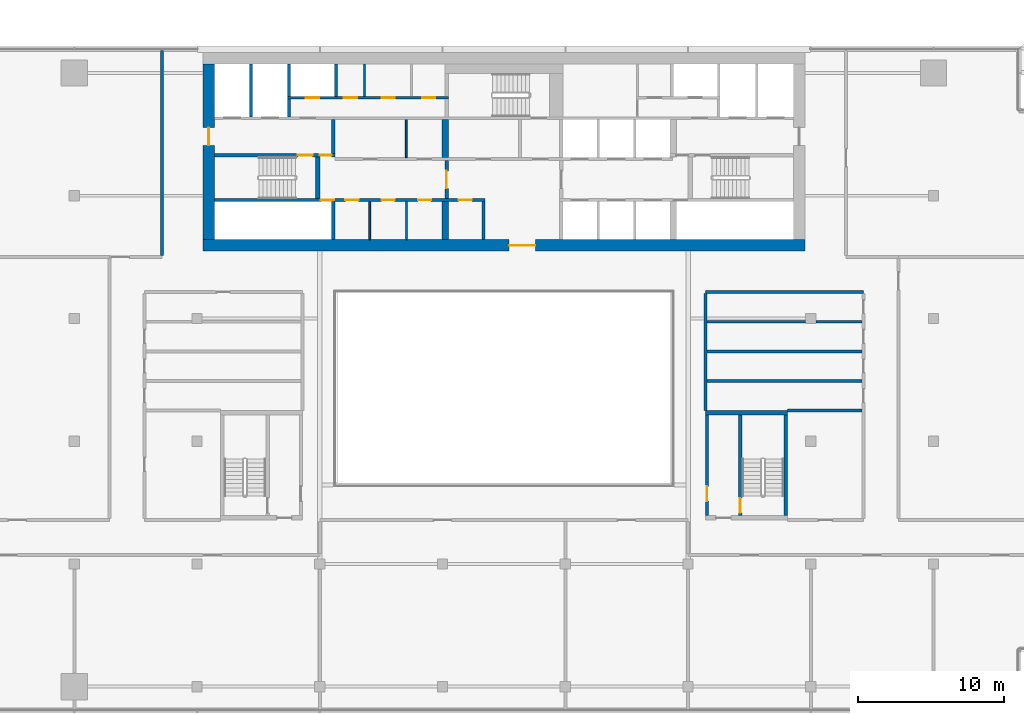
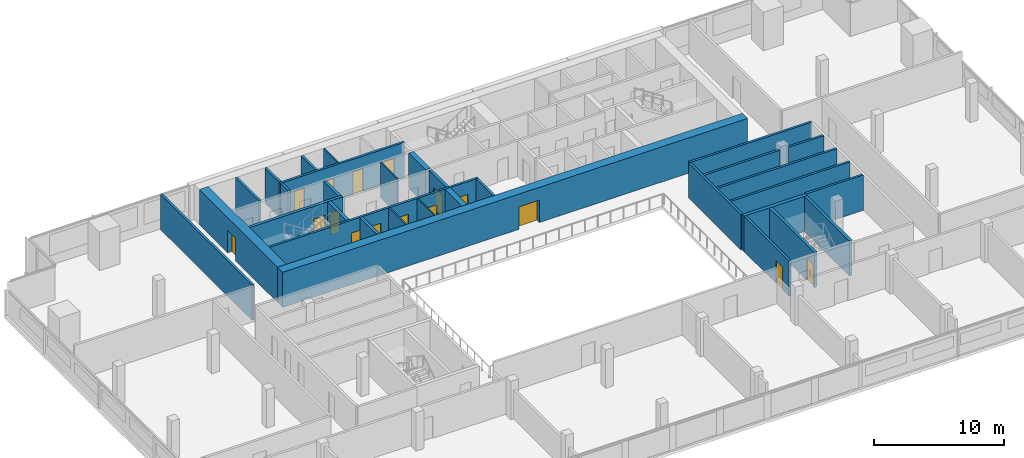
# One storey, part 18 of 24: 32 walls, 16 doors, 16 openings.
"""IFC4 building model written with IfcOpenShell, lengths in metres."""

import ifcopenshell
import ifcopenshell.guid

model = None  # the IFC model being written
_history = None  # IfcOwnerHistory: only IFC2X3 demands one
_inside = {}  # id of a spatial element -> (the spatial element, [elements in it])
_under = {}  # id of a project, library or spatial element -> (it, [spatial elements below it])
_declared = {}  # id of a project -> (the project, [libraries it declares])
_typed = {}  # id of a type object -> (the type object, [elements of that type])
_made_of = {}  # id of a material, layer set ... -> (it, [elements and type objects made of it])


def new_model(schema):
    """Start an empty IFC model of exactly this schema.

    Asked for "IFC4X3", IfcOpenShell would pick the latest addendum, in which some entities
    have other attributes; the version numbers below select the first issue.
    IFC2X3 requires an IfcOwnerHistory on every rooted entity: one is made here for all.
    """
    global model, _history
    if schema == "IFC4X3":
        model = ifcopenshell.file(schema_version=(4, 3, 0, 0))
    else:
        model = ifcopenshell.file(schema=schema)
    _inside.clear()
    _under.clear()
    _declared.clear()
    _typed.clear()
    _made_of.clear()
    _history = None
    if model.schema == "IFC2X3":
        org = make("IfcOrganization", Name="unknown")
        user = make(
            "IfcPersonAndOrganization",
            ThePerson=make("IfcPerson", FamilyName="unknown"),
            TheOrganization=org,
        )
        app = make(
            "IfcApplication",
            ApplicationDeveloper=org,
            Version="unknown",
            ApplicationFullName="unknown",
            ApplicationIdentifier="unknown",
        )
        _history = make(
            "IfcOwnerHistory",
            OwningUser=user,
            OwningApplication=app,
            ChangeAction="ADDED",
            CreationDate=0,
        )
    return model


def make(cls, **values):
    """One entity of the class cls with the attributes given. An attribute that is None is left unset."""
    return model.create_entity(
        cls, **{name: value for name, value in values.items() if value is not None}
    )


def rooted(cls, **values):
    """An entity with a GlobalId (a new one), such as an element, a storey or a relation."""
    return make(cls, GlobalId=ifcopenshell.guid.new(), OwnerHistory=_history, **values)


def si_unit(unit_type, name, prefix=None):
    """IfcSIUnit, for example si_unit("LENGTHUNIT", "METRE", prefix="MILLI")."""
    return make("IfcSIUnit", UnitType=unit_type, Prefix=prefix, Name=name)


def assignment(units):
    """IfcUnitAssignment: the units of a project."""
    return None if units is None else make("IfcUnitAssignment", Units=units)


def point(xyz):
    """IfcCartesianPoint."""
    return None if xyz is None else make("IfcCartesianPoint", Coordinates=xyz)


def direction(xyz):
    """IfcDirection."""
    return None if xyz is None else make("IfcDirection", DirectionRatios=xyz)


def frame(location, z_axis=None, x_axis=None):
    """IfcAxis2Placement3D, a coordinate frame: its origin and axes. An axis left out is left unset."""
    return make(
        "IfcAxis2Placement3D",
        Location=point(location),
        Axis=direction(z_axis),
        RefDirection=direction(x_axis),
    )


def frame_2d(location, x_axis=None):
    """IfcAxis2Placement2D, a coordinate frame in the plane: its origin and x axis."""
    return make(
        "IfcAxis2Placement2D", Location=point(location), RefDirection=direction(x_axis)
    )


def origin():
    """The frame at (0, 0, 0) with its axes left unset."""
    return frame((0.0, 0.0, 0.0))


def place(relative_to, where):
    """IfcLocalPlacement: puts the frame where relative to a parent placement (None: the world)."""
    return make(
        "IfcLocalPlacement", PlacementRelTo=relative_to, RelativePlacement=where
    )


def context(
    kind, dimensions, precision=None, world=None, true_north=None, identifier=None
):
    """IfcGeometricRepresentationContext, for example the 3D "Model" context."""
    return make(
        "IfcGeometricRepresentationContext",
        ContextIdentifier=identifier,
        ContextType=kind,
        CoordinateSpaceDimension=dimensions,
        Precision=precision,
        WorldCoordinateSystem=world,
        TrueNorth=true_north,
    )


def subcontext(parent, identifier, kind, view, scale=None):
    """IfcGeometricRepresentationSubContext, for example "Body" below "Model"."""
    return make(
        "IfcGeometricRepresentationSubContext",
        ContextIdentifier=identifier,
        ContextType=kind,
        ParentContext=parent,
        TargetScale=scale,
        TargetView=view,
    )


def project(units=None, contexts=None):
    """IfcProject with its units and contexts."""
    return rooted(
        "IfcProject",
        Name="project",
        RepresentationContexts=contexts,
        UnitsInContext=assignment(units),
    )


def spatial(cls, under=None, at=None, **own):
    """A site, building, storey or space (cls), placed at a placement, below another one or the project."""
    s = rooted(cls, ObjectPlacement=at, **own)
    if under is not None:
        _under.setdefault(under.id(), (under, []))[1].append(s)
    return s


def profile(cls, at=None, kind="AREA", **sizes):
    """A parametric profile (cls). Its sizes go by their IFC names, for example OverallWidth=200.0."""
    return make(cls, ProfileType=kind, Position=at, **sizes)


def rectangle(**sizes):
    """IfcRectangleProfileDef."""
    return profile("IfcRectangleProfileDef", **sizes)


def extrude(swept, where, along, depth):
    """IfcExtrudedAreaSolid: the profile swept, set in the frame where, extruded along a direction by depth."""
    return make(
        "IfcExtrudedAreaSolid",
        SweptArea=swept,
        Position=where,
        ExtrudedDirection=direction(along),
        Depth=depth,
    )


def shape(context_of_items, identifier, shape_type, items):
    """IfcShapeRepresentation: the items that make up one representation, for example the "Body"."""
    return make(
        "IfcShapeRepresentation",
        ContextOfItems=context_of_items,
        RepresentationIdentifier=identifier,
        RepresentationType=shape_type,
        Items=items,
    )


def material(Name=None, Category=None):
    """IfcMaterial."""
    return make("IfcMaterial", Name=Name, Category=Category)


def layer(
    of_material, thickness, ventilated=None, Name=None, Category=None, Priority=None
):
    """IfcMaterialLayer: one layer of a wall or slab, of a material (None: an air gap)."""
    return make(
        "IfcMaterialLayer",
        Material=of_material,
        LayerThickness=thickness,
        IsVentilated=ventilated,
        Name=Name,
        Category=Category,
        Priority=Priority,
    )


def layer_set(layers, Name=None):
    """IfcMaterialLayerSet."""
    return make("IfcMaterialLayerSet", MaterialLayers=layers, LayerSetName=Name)


def made_of(thing, what):
    """Note that an element or type object is made of a material, layer set ...; save() writes the relation."""
    if what is not None:
        _made_of.setdefault(what.id(), (what, []))[1].append(thing)
    return thing


def type_object(cls, material=None, **own):
    """A type object (cls), such as IfcWallType, which elements share."""
    return made_of(rooted(cls, **own), material)


def element(
    cls,
    number,
    at=None,
    inside=None,
    cuts=None,
    type_object=None,
    material=None,
    context=None,
    identifier="Body",
    shape_type=None,
    held_by="IfcProductDefinitionShape",
    body=None,
    shapes=None,
    **own,
):
    """One element of the class cls, such as IfcWall. Its Tag is "e" and its number.

    at: its placement. inside: the storey or other place that contains it. cuts: it is an
    opening in that element (IfcRelVoidsElement). A single representation is given by context,
    identifier, shape_type and body (its items); several are given by shapes. held_by: the class
    of the entity that holds the representations. save() writes the other relations.
    """
    e = rooted(cls, Tag="e%d" % number, ObjectPlacement=at, **own)
    if body is not None:
        shapes = [shape(context, identifier, shape_type, body)]
    if shapes is not None:
        e.Representation = make(held_by, Representations=shapes)
    if inside is not None:
        _inside.setdefault(inside.id(), (inside, []))[1].append(e)
    if cuts is not None:
        rooted(
            "IfcRelVoidsElement", RelatingBuildingElement=cuts, RelatedOpeningElement=e
        )
    if type_object is not None:
        _typed.setdefault(type_object.id(), (type_object, []))[1].append(e)
    return made_of(e, material)


def fill(opening, filler):
    """IfcRelFillsElement: the door or window that sits in an opening."""
    return rooted(
        "IfcRelFillsElement",
        RelatingOpeningElement=opening,
        RelatedBuildingElement=filler,
    )


def aggregate(whole, parts):
    """IfcRelAggregates: a whole, such as a stair, and the parts it consists of."""
    return rooted("IfcRelAggregates", RelatingObject=whole, RelatedObjects=parts)


def save(model, path):
    """Write the relations noted so far, then the file.

    IfcRelAggregates (storeys below a building ...), IfcRelContainedInSpatialStructure (elements
    in a storey), IfcRelDefinesByType, IfcRelAssociatesMaterial and IfcRelDeclares: one each for
    every whole, place, type object, material and project.
    """
    for whole, parts in _under.values():
        aggregate(whole, parts)
    for where, things in _inside.values():
        rooted(
            "IfcRelContainedInSpatialStructure",
            RelatedElements=things,
            RelatingStructure=where,
        )
    for kind, things in _typed.values():
        rooted("IfcRelDefinesByType", RelatedObjects=things, RelatingType=kind)
    for what, things in _made_of.values():
        rooted("IfcRelAssociatesMaterial", RelatedObjects=things, RelatingMaterial=what)
    for by, libraries in _declared.values():
        rooted("IfcRelDeclares", RelatingContext=by, RelatedDefinitions=libraries)
    model.write(path)


model = new_model("IFC4")

# Units and contexts
model_context = context("Model", 3, precision=1e-05, world=origin(), true_north=direction((0.0, 1.0)))
body_context = subcontext(model_context, "Body", "Model", "MODEL_VIEW")
ifc_project = project(units=[si_unit("LENGTHUNIT", "METRE"), si_unit("AREAUNIT", "SQUARE_METRE"), si_unit("VOLUMEUNIT", "CUBIC_METRE"), si_unit("PLANEANGLEUNIT", "RADIAN"), si_unit("MASSUNIT", "GRAM", prefix="KILO")], contexts=[model_context])

# Site, building, storey
site_placement = place(None, origin())
site = spatial("IfcSite", under=ifc_project, at=site_placement, CompositionType="ELEMENT")
building_placement = place(site_placement, origin())
building = spatial("IfcBuilding", under=site, at=building_placement, Name="Saffron Gate Tower", CompositionType="ELEMENT")
storey_placement = place(building_placement, frame((0.0, 0.0, 190.64990234375)))
storey = spatial("IfcBuildingStorey", under=building, at=storey_placement, Name="L47", CompositionType="ELEMENT", Elevation=190.64990234375)

# Wall
ifc_material_1 = material(Name="Gypsum board partition on steel studs", Category="steel")
ifc_layer_1 = layer(ifc_material_1, 0.199951171875)
ifc_layer_set_1 = layer_set([ifc_layer_1], Name="CW10 Core partition 200")
wall_type_1 = type_object("IfcWallType", Name="CW10 Core partition 200", PredefinedType="PARTITIONING", material=ifc_layer_set_1)
wall_1_placement = place(storey_placement, frame((86.199951171875, 62.39990234375, 0.0), z_axis=(0.0, 0.0, 1.0), x_axis=(0.0, 1.0, 0.0)))
element("IfcWall", 1, at=wall_1_placement, inside=storey, type_object=wall_type_1, Name="Wall CW10-L47-9", PredefinedType="PARTITIONING", context=body_context, shape_type="SweptSolid", body=[
    extrude(rectangle(XDim=2.60009765625, YDim=0.199951171875, at=frame_2d((1.300048828125, 0.0))), origin(), (0.0, 0.0, 1.0), 3.300048828125),
])

# Wall, opening, door
wall_2_placement = place(storey_placement, frame((101.5, 43.5, 0.0), z_axis=(0.0, 0.0, 1.0), x_axis=(0.0, 1.0, 0.0)))
wall_2 = element("IfcWall", 2, at=wall_2_placement, inside=storey, type_object=wall_type_1, Name="Wall CW10-L47-E-2", PredefinedType="PARTITIONING", context=body_context, shape_type="SweptSolid", body=[
    extrude(rectangle(XDim=6.89990234375, YDim=0.199951171875, at=frame_2d((3.449951171875, 0.0))), origin(), (0.0, 0.0, 1.0), 3.300048828125),
])
opening_1_placement = place(wall_2_placement, frame((1.0, 0.0, 0.0)))
opening_1 = element("IfcOpeningElement", 3, at=opening_1_placement, cuts=wall_2, Name="Opening CR-22", PredefinedType="OPENING", context=body_context, shape_type="SweptSolid", body=[
    extrude(rectangle(XDim=1.0, YDim=2.10009765625, at=frame_2d((0.5, 1.050048828125))), frame((0.0, 0.10986328125, 0.0), z_axis=(0.0, -1.0, 0.0), x_axis=(1.0, 0.0, 0.0)), (0.0, 0.0, 1.0), 0.219970703125),
])
ifc_material_2 = material(Name="Steel fire door set", Category="steel")
door_type_1 = type_object("IfcDoorType", Name="CD4 Lobby door 1000x2100 EI 120", OperationType="NOTDEFINED", PredefinedType="DOOR", material=ifc_material_2)
door_1_placement = place(opening_1_placement, origin())
door_1 = element("IfcDoor", 4, at=door_1_placement, inside=storey, type_object=door_type_1, Name="DOOR CR-22", OperationType="SINGLE_SWING_LEFT", OverallHeight=2.10009765625, OverallWidth=1.0, PredefinedType="DOOR", context=body_context, shape_type="SweptSolid", body=[
    extrude(rectangle(XDim=1.0, YDim=2.10009765625, at=frame_2d((0.5, 1.050048828125))), frame((0.0, 0.02490234375, 0.0), z_axis=(0.0, -1.0, 0.0), x_axis=(1.0, 0.0, 0.0)), (0.0, 0.0, 1.0), 0.050048828125),
])
fill(opening_1, door_1)

ifc_material_3 = material(Name="Concrete C60", Category="concrete")
ifc_layer_2 = layer(ifc_material_3, 0.800048828125)
ifc_layer_set_2 = layer_set([ifc_layer_2], Name="CW13 RC core wall 800 C60")
wall_type_2 = type_object("IfcWallType", Name="CW13 RC core wall 800 C60", PredefinedType="SOLIDWALL", material=ifc_layer_set_2)
wall_3_placement = place(storey_placement, frame((67.0, 62.0, 0.0), z_axis=(0.0, 0.0, 1.0), x_axis=(1.0, 0.0, 0.0)))
wall_3 = element("IfcWall", 5, at=wall_3_placement, inside=storey, type_object=wall_type_2, Name="Wall CW13-L47-1", PredefinedType="SOLIDWALL", context=body_context, shape_type="SweptSolid", body=[
    extrude(rectangle(XDim=41.199951171875, YDim=0.800048828125, at=frame_2d((20.60009765625, 0.0))), origin(), (0.0, 0.0, 1.0), 3.300048828125),
])
opening_2_placement = place(wall_3_placement, frame((20.949951171875, 0.0, 0.0)))
opening_2 = element("IfcOpeningElement", 6, at=opening_2_placement, cuts=wall_3, Name="Opening CR-09", PredefinedType="OPENING", context=body_context, shape_type="SweptSolid", body=[
    extrude(rectangle(XDim=1.800048828125, YDim=2.10009765625, at=frame_2d((0.89990234375, 1.050048828125))), frame((0.0, 0.41015625, 0.0), z_axis=(0.0, -1.0, 0.0), x_axis=(1.0, 0.0, 0.0)), (0.0, 0.0, 1.0), 0.820068359375),
])
door_type_2 = type_object("IfcDoorType", Name="CD1 Core entrance door 1800x2100 EI 120", OperationType="NOTDEFINED", PredefinedType="DOOR", material=ifc_material_2)
door_2_placement = place(opening_2_placement, origin())
door_2 = element("IfcDoor", 7, at=door_2_placement, inside=storey, type_object=door_type_2, Name="DOOR CR-09", OperationType="DOUBLE_DOOR_SINGLE_SWING", OverallHeight=2.10009765625, OverallWidth=1.800048828125, PredefinedType="DOOR", context=body_context, shape_type="SweptSolid", body=[
    extrude(rectangle(XDim=1.800048828125, YDim=2.10009765625, at=frame_2d((0.89990234375, 1.050048828125))), frame((0.0, 0.02490234375, 0.0), z_axis=(0.0, -1.0, 0.0), x_axis=(1.0, 0.0, 0.0)), (0.0, 0.0, 1.0), 0.050048828125),
])
fill(opening_2, door_2)

wall_4_placement = place(storey_placement, frame((67.39990234375, 62.39990234375, 0.0), z_axis=(0.0, 0.0, 1.0), x_axis=(0.0, 1.0, 0.0)))
wall_4 = element("IfcWall", 8, at=wall_4_placement, inside=storey, type_object=wall_type_2, Name="Wall CW13-L47-3", PredefinedType="SOLIDWALL", context=body_context, shape_type="SweptSolid", body=[
    extrude(rectangle(XDim=12.0, YDim=0.800048828125, at=frame_2d((6.0, 0.0))), origin(), (0.0, 0.0, 1.0), 3.300048828125),
])
opening_3_placement = place(wall_4_placement, frame((6.449951171875, 0.0, 0.0)))
opening_3 = element("IfcOpeningElement", 9, at=opening_3_placement, cuts=wall_4, Name="Opening CR-10", PredefinedType="OPENING", context=body_context, shape_type="SweptSolid", body=[
    extrude(rectangle(XDim=1.199951171875, YDim=2.10009765625, at=frame_2d((0.60009765625, 1.050048828125))), frame((0.0, 0.41015625, 0.0), z_axis=(0.0, -1.0, 0.0), x_axis=(1.0, 0.0, 0.0)), (0.0, 0.0, 1.0), 0.820068359375),
])
door_type_3 = type_object("IfcDoorType", Name="CD7 Core entrance door 1200x2100 EI 120", OperationType="NOTDEFINED", PredefinedType="DOOR", material=ifc_material_2)
door_3_placement = place(opening_3_placement, origin())
door_3 = element("IfcDoor", 10, at=door_3_placement, inside=storey, type_object=door_type_3, Name="DOOR CR-10", OperationType="SINGLE_SWING_LEFT", OverallHeight=2.10009765625, OverallWidth=1.199951171875, PredefinedType="DOOR", context=body_context, shape_type="SweptSolid", body=[
    extrude(rectangle(XDim=1.199951171875, YDim=2.10009765625, at=frame_2d((0.60009765625, 1.050048828125))), frame((0.0, 0.02490234375, 0.0), z_axis=(0.0, -1.0, 0.0), x_axis=(1.0, 0.0, 0.0)), (0.0, 0.0, 1.0), 0.050048828125),
])
fill(opening_3, door_3)

# Wall
ifc_layer_3 = layer(ifc_material_3, 0.25)
ifc_layer_set_3 = layer_set([ifc_layer_3], Name="CW14 RC core wall 250 C60")
wall_type_3 = type_object("IfcWallType", Name="CW14 RC core wall 250 C60", PredefinedType="SOLIDWALL", material=ifc_layer_set_3)
wall_5_placement = place(storey_placement, frame((75.925048828125, 62.39990234375, 0.0), z_axis=(0.0, 0.0, 1.0), x_axis=(0.0, 1.0, 0.0)))
element("IfcWall", 11, at=wall_5_placement, inside=storey, type_object=wall_type_3, Name="Wall CW14-L47-5", PredefinedType="SOLIDWALL", context=body_context, shape_type="SweptSolid", body=[
    extrude(rectangle(XDim=2.60009765625, YDim=0.25, at=frame_2d((1.300048828125, 0.0))), origin(), (0.0, 0.0, 1.0), 3.300048828125),
])

# Wall, opening, door
wall_6_placement = place(storey_placement, frame((83.675048828125, 65.199951171875, 0.0), z_axis=(0.0, 0.0, 1.0), x_axis=(0.0, 1.0, 0.0)))
wall_6 = element("IfcWall", 12, at=wall_6_placement, inside=storey, type_object=wall_type_3, Name="Wall CW14-L47-17", PredefinedType="SOLIDWALL", context=body_context, shape_type="SweptSolid", body=[
    extrude(rectangle(XDim=2.60009765625, YDim=0.25, at=frame_2d((1.300048828125, 0.0))), origin(), (0.0, 0.0, 1.0), 3.300048828125),
])
opening_4_placement = place(wall_6_placement, frame((0.699951171875, 0.0, 0.0)))
opening_4 = element("IfcOpeningElement", 13, at=opening_4_placement, cuts=wall_6, Name="Opening CR-07", PredefinedType="OPENING", context=body_context, shape_type="SweptSolid", body=[
    extrude(rectangle(XDim=1.199951171875, YDim=2.10009765625, at=frame_2d((0.60009765625, 1.050048828125))), frame((0.0, 0.135009765625, 0.0), z_axis=(0.0, -1.0, 0.0), x_axis=(1.0, 0.0, 0.0)), (0.0, 0.0, 1.0), 0.27001953125),
])
door_type_4 = type_object("IfcDoorType", Name="CD3 Lobby door 1200x2100 EI 120", OperationType="NOTDEFINED", PredefinedType="DOOR", material=ifc_material_2)
door_4_placement = place(opening_4_placement, origin())
door_4 = element("IfcDoor", 14, at=door_4_placement, inside=storey, type_object=door_type_4, Name="DOOR CR-07", OperationType="SINGLE_SWING_RIGHT", OverallHeight=2.10009765625, OverallWidth=1.199951171875, PredefinedType="DOOR", context=body_context, shape_type="SweptSolid", body=[
    extrude(rectangle(XDim=1.199951171875, YDim=2.10009765625, at=frame_2d((0.60009765625, 1.050048828125))), frame((0.0, 0.02490234375, 0.0), z_axis=(0.0, -1.0, 0.0), x_axis=(1.0, 0.0, 0.0)), (0.0, 0.0, 1.0), 0.050048828125),
])
fill(opening_4, door_4)

# Wall, openings, doors
wall_7_placement = place(storey_placement, frame((67.800048828125, 68.175048828125, 0.0), z_axis=(0.0, 0.0, 1.0), x_axis=(1.0, 0.0, 0.0)))
wall_7 = element("IfcWall", 15, at=wall_7_placement, inside=storey, type_object=wall_type_3, Name="Wall CW14-L47-28", PredefinedType="SOLIDWALL", context=body_context, shape_type="SweptSolid", body=[
    extrude(rectangle(XDim=8.25, YDim=0.25, at=frame_2d((4.125, 0.0))), origin(), (0.0, 0.0, 1.0), 3.300048828125),
])
opening_5_placement = place(wall_7_placement, frame((5.699951171875, 0.0, 0.0)))
opening_5 = element("IfcOpeningElement", 16, at=opening_5_placement, cuts=wall_7, Name="Opening CR-15", PredefinedType="OPENING", context=body_context, shape_type="SweptSolid", body=[
    extrude(rectangle(XDim=1.0, YDim=2.10009765625, at=frame_2d((0.5, 1.050048828125))), frame((0.0, 0.135009765625, 0.0), z_axis=(0.0, -1.0, 0.0), x_axis=(1.0, 0.0, 0.0)), (0.0, 0.0, 1.0), 0.27001953125),
])
opening_6_placement = place(wall_7_placement, frame((7.199951171875, 0.0, 0.0)))
opening_6 = element("IfcOpeningElement", 17, at=opening_6_placement, cuts=wall_7, Name="Opening CR-06", PredefinedType="OPENING", context=body_context, shape_type="SweptSolid", body=[
    extrude(rectangle(XDim=0.800048828125, YDim=2.10009765625, at=frame_2d((0.39990234375, 1.050048828125))), frame((0.0, 0.135009765625, 0.0), z_axis=(0.0, -1.0, 0.0), x_axis=(1.0, 0.0, 0.0)), (0.0, 0.0, 1.0), 0.27001953125),
])
door_type_5 = type_object("IfcDoorType", Name="CD5 Stair door 1000x2100 EI 120", OperationType="NOTDEFINED", PredefinedType="DOOR", material=ifc_material_2)
door_5_placement = place(opening_5_placement, origin())
door_5 = element("IfcDoor", 18, at=door_5_placement, inside=storey, type_object=door_type_5, Name="DOOR CR-15", OperationType="SINGLE_SWING_RIGHT", OverallHeight=2.10009765625, OverallWidth=1.0, PredefinedType="DOOR", context=body_context, shape_type="SweptSolid", body=[
    extrude(rectangle(XDim=1.0, YDim=2.10009765625, at=frame_2d((0.5, 1.050048828125))), frame((0.0, 0.02490234375, 0.0), z_axis=(0.0, -1.0, 0.0), x_axis=(1.0, 0.0, 0.0)), (0.0, 0.0, 1.0), 0.050048828125),
])
fill(opening_5, door_5)
door_type_6 = type_object("IfcDoorType", Name="CD6 Lobby door 800x2100 EI 120", OperationType="NOTDEFINED", PredefinedType="DOOR", material=ifc_material_2)
door_6_placement = place(opening_6_placement, origin())
door_6 = element("IfcDoor", 19, at=door_6_placement, inside=storey, type_object=door_type_6, Name="DOOR CR-06", OperationType="SINGLE_SWING_LEFT", OverallHeight=2.10009765625, OverallWidth=0.800048828125, PredefinedType="DOOR", context=body_context, shape_type="SweptSolid", body=[
    extrude(rectangle(XDim=0.800048828125, YDim=2.10009765625, at=frame_2d((0.39990234375, 1.050048828125))), frame((0.0, 0.02490234375, 0.0), z_axis=(0.0, -1.0, 0.0), x_axis=(1.0, 0.0, 0.0)), (0.0, 0.0, 1.0), 0.050048828125),
])
fill(opening_6, door_6)

# Wall
wall_8_placement = place(storey_placement, frame((75.925048828125, 68.300048828125, 0.0), z_axis=(0.0, 0.0, 1.0), x_axis=(0.0, 1.0, 0.0)))
element("IfcWall", 20, at=wall_8_placement, inside=storey, type_object=wall_type_3, Name="Wall CW14-L47-30", PredefinedType="SOLIDWALL", context=body_context, shape_type="SweptSolid", body=[
    extrude(rectangle(XDim=2.300048828125, YDim=0.25, at=frame_2d((1.14990234375, 0.0))), origin(), (0.0, 0.0, 1.0), 3.300048828125),
])

# Wall, opening, door
wall_9_placement = place(storey_placement, frame((103.77490234375, 43.5, 0.0), z_axis=(0.0, 0.0, 1.0), x_axis=(0.0, 1.0, 0.0)))
wall_9 = element("IfcWall", 21, at=wall_9_placement, inside=storey, type_object=wall_type_3, Name="Wall CW14-L47-E-3", PredefinedType="SOLIDWALL", context=body_context, shape_type="SweptSolid", body=[
    extrude(rectangle(XDim=6.89990234375, YDim=0.25, at=frame_2d((3.449951171875, 0.0))), origin(), (0.0, 0.0, 1.0), 3.300048828125),
])
opening_7_placement = place(wall_9_placement, frame((0.199951171875, 0.0, 0.0)))
opening_7 = element("IfcOpeningElement", 22, at=opening_7_placement, cuts=wall_9, Name="Opening CR-23", PredefinedType="OPENING", context=body_context, shape_type="SweptSolid", body=[
    extrude(rectangle(XDim=1.0, YDim=2.10009765625, at=frame_2d((0.5, 1.050048828125))), frame((0.0, 0.135009765625, 0.0), z_axis=(0.0, -1.0, 0.0), x_axis=(1.0, 0.0, 0.0)), (0.0, 0.0, 1.0), 0.27001953125),
])
door_7_placement = place(opening_7_placement, origin())
door_7 = element("IfcDoor", 23, at=door_7_placement, inside=storey, type_object=door_type_5, Name="DOOR CR-23", OperationType="SINGLE_SWING_RIGHT", OverallHeight=2.10009765625, OverallWidth=1.0, PredefinedType="DOOR", context=body_context, shape_type="SweptSolid", body=[
    extrude(rectangle(XDim=1.0, YDim=2.10009765625, at=frame_2d((0.5, 1.050048828125))), frame((0.0, 0.02490234375, 0.0), z_axis=(0.0, -1.0, 0.0), x_axis=(1.0, 0.0, 0.0)), (0.0, 0.0, 1.0), 0.050048828125),
])
fill(opening_7, door_7)

# Wall
wall_10_placement = place(storey_placement, frame((106.875, 43.5, 0.0), z_axis=(0.0, 0.0, 1.0), x_axis=(0.0, 1.0, 0.0)))
element("IfcWall", 24, at=wall_10_placement, inside=storey, type_object=wall_type_3, Name="Wall CW14-L47-E-4", PredefinedType="SOLIDWALL", context=body_context, shape_type="SweptSolid", body=[
    extrude(rectangle(XDim=6.89990234375, YDim=0.25, at=frame_2d((3.449951171875, 0.0))), origin(), (0.0, 0.0, 1.0), 3.300048828125),
])

# Wall, openings, doors
ifc_layer_4 = layer(ifc_material_3, 0.199951171875)
ifc_layer_set_4 = layer_set([ifc_layer_4], Name="CW15 RC core wall 200 C60")
wall_type_4 = type_object("IfcWallType", Name="CW15 RC core wall 200 C60", PredefinedType="SOLIDWALL", material=ifc_layer_set_4)
wall_11_placement = place(storey_placement, frame((67.800048828125, 65.10009765625, 0.0), z_axis=(0.0, 0.0, 1.0), x_axis=(1.0, 0.0, 0.0)))
wall_11 = element("IfcWall", 25, at=wall_11_placement, inside=storey, type_object=wall_type_4, Name="Wall CW15-L47-14", PredefinedType="SOLIDWALL", context=body_context, shape_type="SweptSolid", body=[
    extrude(rectangle(XDim=18.5, YDim=0.199951171875, at=frame_2d((9.25, 0.0))), origin(), (0.0, 0.0, 1.0), 3.300048828125),
])
opening_8_placement = place(wall_11_placement, frame((7.27001953125, 0.0, 0.0)))
opening_8 = element("IfcOpeningElement", 26, at=opening_8_placement, cuts=wall_11, Name="Opening CR-49", PredefinedType="OPENING", context=body_context, shape_type="SweptSolid", body=[
    extrude(rectangle(XDim=0.89990234375, YDim=2.10009765625, at=frame_2d((0.449951171875, 1.050048828125))), frame((0.0, 0.10986328125, 0.0), z_axis=(0.0, -1.0, 0.0), x_axis=(1.0, 0.0, 0.0)), (0.0, 0.0, 1.0), 0.219970703125),
])
opening_9_placement = place(wall_11_placement, frame((8.949951171875, 0.0, 0.0)))
opening_9 = element("IfcOpeningElement", 27, at=opening_9_placement, cuts=wall_11, Name="Opening CR-64", PredefinedType="OPENING", context=body_context, shape_type="SweptSolid", body=[
    extrude(rectangle(XDim=0.89990234375, YDim=2.10009765625, at=frame_2d((0.449951171875, 1.050048828125))), frame((0.0, 0.10986328125, 0.0), z_axis=(0.0, -1.0, 0.0), x_axis=(1.0, 0.0, 0.0)), (0.0, 0.0, 1.0), 0.219970703125),
])
opening_10_placement = place(wall_11_placement, frame((11.419921875, 0.0, 0.0)))
opening_10 = element("IfcOpeningElement", 28, at=opening_10_placement, cuts=wall_11, Name="Opening CR-65", PredefinedType="OPENING", context=body_context, shape_type="SweptSolid", body=[
    extrude(rectangle(XDim=0.89990234375, YDim=2.10009765625, at=frame_2d((0.449951171875, 1.050048828125))), frame((0.0, 0.10986328125, 0.0), z_axis=(0.0, -1.0, 0.0), x_axis=(1.0, 0.0, 0.0)), (0.0, 0.0, 1.0), 0.219970703125),
])
opening_11_placement = place(wall_11_placement, frame((13.919921875, 0.0, 0.0)))
opening_11 = element("IfcOpeningElement", 29, at=opening_11_placement, cuts=wall_11, Name="Opening CR-66", PredefinedType="OPENING", context=body_context, shape_type="SweptSolid", body=[
    extrude(rectangle(XDim=0.89990234375, YDim=2.10009765625, at=frame_2d((0.449951171875, 1.050048828125))), frame((0.0, 0.10986328125, 0.0), z_axis=(0.0, -1.0, 0.0), x_axis=(1.0, 0.0, 0.0)), (0.0, 0.0, 1.0), 0.219970703125),
])
opening_12_placement = place(wall_11_placement, frame((16.699951171875, 0.0, 0.0)))
opening_12 = element("IfcOpeningElement", 30, at=opening_12_placement, cuts=wall_11, Name="Opening CR-69", PredefinedType="OPENING", context=body_context, shape_type="SweptSolid", body=[
    extrude(rectangle(XDim=0.89990234375, YDim=2.10009765625, at=frame_2d((0.449951171875, 1.050048828125))), frame((0.0, 0.10986328125, 0.0), z_axis=(0.0, -1.0, 0.0), x_axis=(1.0, 0.0, 0.0)), (0.0, 0.0, 1.0), 0.219970703125),
])
door_type_7 = type_object("IfcDoorType", Name="CD2 Riser door 900x2100 EI 60", OperationType="NOTDEFINED", PredefinedType="DOOR", material=ifc_material_2)
door_8_placement = place(opening_8_placement, origin())
door_8 = element("IfcDoor", 31, at=door_8_placement, inside=storey, type_object=door_type_7, Name="DOOR CR-49", OperationType="SINGLE_SWING_LEFT", OverallHeight=2.10009765625, OverallWidth=0.89990234375, PredefinedType="DOOR", context=body_context, shape_type="SweptSolid", body=[
    extrude(rectangle(XDim=0.89990234375, YDim=2.10009765625, at=frame_2d((0.449951171875, 1.050048828125))), frame((0.0, 0.02490234375, 0.0), z_axis=(0.0, -1.0, 0.0), x_axis=(1.0, 0.0, 0.0)), (0.0, 0.0, 1.0), 0.050048828125),
])
fill(opening_8, door_8)
door_type_8 = type_object("IfcDoorType", Name="CD9 Room door 900x2100 EI 60", OperationType="NOTDEFINED", PredefinedType="DOOR", material=ifc_material_2)
door_9_placement = place(opening_9_placement, origin())
door_9 = element("IfcDoor", 32, at=door_9_placement, inside=storey, type_object=door_type_8, Name="DOOR CR-64", OperationType="SINGLE_SWING_RIGHT", OverallHeight=2.10009765625, OverallWidth=0.89990234375, PredefinedType="DOOR", context=body_context, shape_type="SweptSolid", body=[
    extrude(rectangle(XDim=0.89990234375, YDim=2.10009765625, at=frame_2d((0.449951171875, 1.050048828125))), frame((0.0, 0.02490234375, 0.0), z_axis=(0.0, -1.0, 0.0), x_axis=(1.0, 0.0, 0.0)), (0.0, 0.0, 1.0), 0.050048828125),
])
fill(opening_9, door_9)
door_10_placement = place(opening_10_placement, origin())
door_10 = element("IfcDoor", 33, at=door_10_placement, inside=storey, type_object=door_type_8, Name="DOOR CR-65", OperationType="SINGLE_SWING_RIGHT", OverallHeight=2.10009765625, OverallWidth=0.89990234375, PredefinedType="DOOR", context=body_context, shape_type="SweptSolid", body=[
    extrude(rectangle(XDim=0.89990234375, YDim=2.10009765625, at=frame_2d((0.449951171875, 1.050048828125))), frame((0.0, 0.02490234375, 0.0), z_axis=(0.0, -1.0, 0.0), x_axis=(1.0, 0.0, 0.0)), (0.0, 0.0, 1.0), 0.050048828125),
])
fill(opening_10, door_10)
door_11_placement = place(opening_11_placement, origin())
door_11 = element("IfcDoor", 34, at=door_11_placement, inside=storey, type_object=door_type_8, Name="DOOR CR-66", OperationType="SINGLE_SWING_RIGHT", OverallHeight=2.10009765625, OverallWidth=0.89990234375, PredefinedType="DOOR", context=body_context, shape_type="SweptSolid", body=[
    extrude(rectangle(XDim=0.89990234375, YDim=2.10009765625, at=frame_2d((0.449951171875, 1.050048828125))), frame((0.0, 0.02490234375, 0.0), z_axis=(0.0, -1.0, 0.0), x_axis=(1.0, 0.0, 0.0)), (0.0, 0.0, 1.0), 0.050048828125),
])
fill(opening_11, door_11)
door_12_placement = place(opening_12_placement, origin())
door_12 = element("IfcDoor", 35, at=door_12_placement, inside=storey, type_object=door_type_8, Name="DOOR CR-69", OperationType="SINGLE_SWING_RIGHT", OverallHeight=2.10009765625, OverallWidth=0.89990234375, PredefinedType="DOOR", context=body_context, shape_type="SweptSolid", body=[
    extrude(rectangle(XDim=0.89990234375, YDim=2.10009765625, at=frame_2d((0.449951171875, 1.050048828125))), frame((0.0, 0.02490234375, 0.0), z_axis=(0.0, -1.0, 0.0), x_axis=(1.0, 0.0, 0.0)), (0.0, 0.0, 1.0), 0.050048828125),
])
fill(opening_12, door_12)

# Walls
wall_12_placement = place(storey_placement, frame((70.300048828125, 70.800048828125, 0.0), z_axis=(0.0, 0.0, 1.0), x_axis=(0.0, 1.0, 0.0)))
element("IfcWall", 36, at=wall_12_placement, inside=storey, type_object=wall_type_4, Name="Wall CW15-L47-33", PredefinedType="SOLIDWALL", context=body_context, shape_type="SweptSolid", body=[
    extrude(rectangle(XDim=3.599853515625, YDim=0.199951171875, at=frame_2d((1.7998046875, 0.0))), origin(), (0.0, 0.0, 1.0), 3.300048828125),
])
wall_13_placement = place(storey_placement, frame((72.89990234375, 70.800048828125, 0.0), z_axis=(0.0, 0.0, 1.0), x_axis=(0.0, 1.0, 0.0)))
element("IfcWall", 37, at=wall_13_placement, inside=storey, type_object=wall_type_4, Name="Wall CW15-L47-34", PredefinedType="SOLIDWALL", context=body_context, shape_type="SweptSolid", body=[
    extrude(rectangle(XDim=1.199951171875, YDim=0.199951171875, at=frame_2d((0.60009765625, 0.0))), origin(), (0.0, 0.0, 1.0), 3.300048828125),
])

# Wall, openings, doors
wall_14_placement = place(storey_placement, frame((72.800048828125, 72.10009765625, 0.0), z_axis=(0.0, 0.0, 1.0), x_axis=(1.0, 0.0, 0.0)))
wall_14 = element("IfcWall", 38, at=wall_14_placement, inside=storey, type_object=wall_type_4, Name="Wall CW15-L47-40", PredefinedType="SOLIDWALL", context=body_context, shape_type="SweptSolid", body=[
    extrude(rectangle(XDim=11.0, YDim=0.199951171875, at=frame_2d((5.5, 0.0))), origin(), (0.0, 0.0, 1.0), 3.300048828125),
])
opening_13_placement = place(wall_14_placement, frame((1.25, 0.0, 0.0)))
opening_13 = element("IfcOpeningElement", 39, at=opening_13_placement, cuts=wall_14, Name="Opening CR-71", PredefinedType="OPENING", context=body_context, shape_type="SweptSolid", body=[
    extrude(rectangle(XDim=0.89990234375, YDim=2.10009765625, at=frame_2d((0.449951171875, 1.050048828125))), frame((0.0, 0.10986328125, 0.0), z_axis=(0.0, -1.0, 0.0), x_axis=(1.0, 0.0, 0.0)), (0.0, 0.0, 1.0), 0.219970703125),
])
opening_14_placement = place(wall_14_placement, frame((3.85009765625, 0.0, 0.0)))
opening_14 = element("IfcOpeningElement", 40, at=opening_14_placement, cuts=wall_14, Name="Opening CR-55", PredefinedType="OPENING", context=body_context, shape_type="SweptSolid", body=[
    extrude(rectangle(XDim=0.89990234375, YDim=2.10009765625, at=frame_2d((0.449951171875, 1.050048828125))), frame((0.0, 0.10986328125, 0.0), z_axis=(0.0, -1.0, 0.0), x_axis=(1.0, 0.0, 0.0)), (0.0, 0.0, 1.0), 0.219970703125),
])
opening_15_placement = place(wall_14_placement, frame((6.419921875, 0.0, 0.0)))
opening_15 = element("IfcOpeningElement", 41, at=opening_15_placement, cuts=wall_14, Name="Opening CR-58", PredefinedType="OPENING", context=body_context, shape_type="SweptSolid", body=[
    extrude(rectangle(XDim=0.89990234375, YDim=2.10009765625, at=frame_2d((0.449951171875, 1.050048828125))), frame((0.0, 0.10986328125, 0.0), z_axis=(0.0, -1.0, 0.0), x_axis=(1.0, 0.0, 0.0)), (0.0, 0.0, 1.0), 0.219970703125),
])
opening_16_placement = place(wall_14_placement, frame((9.195068359375, 0.0, 0.0)))
opening_16 = element("IfcOpeningElement", 42, at=opening_16_placement, cuts=wall_14, Name="Opening CR-59", PredefinedType="OPENING", context=body_context, shape_type="SweptSolid", body=[
    extrude(rectangle(XDim=0.89990234375, YDim=2.10009765625, at=frame_2d((0.449951171875, 1.050048828125))), frame((0.0, 0.10986328125, 0.0), z_axis=(0.0, -1.0, 0.0), x_axis=(1.0, 0.0, 0.0)), (0.0, 0.0, 1.0), 0.219970703125),
])
door_13_placement = place(opening_13_placement, origin())
door_13 = element("IfcDoor", 43, at=door_13_placement, inside=storey, type_object=door_type_7, Name="DOOR CR-71", OperationType="SINGLE_SWING_LEFT", OverallHeight=2.10009765625, OverallWidth=0.89990234375, PredefinedType="DOOR", context=body_context, shape_type="SweptSolid", body=[
    extrude(rectangle(XDim=0.89990234375, YDim=2.10009765625, at=frame_2d((0.449951171875, 1.050048828125))), frame((0.0, 0.02490234375, 0.0), z_axis=(0.0, -1.0, 0.0), x_axis=(1.0, 0.0, 0.0)), (0.0, 0.0, 1.0), 0.050048828125),
])
fill(opening_13, door_13)
door_14_placement = place(opening_14_placement, origin())
door_14 = element("IfcDoor", 44, at=door_14_placement, inside=storey, type_object=door_type_8, Name="DOOR CR-55", OperationType="SINGLE_SWING_LEFT", OverallHeight=2.10009765625, OverallWidth=0.89990234375, PredefinedType="DOOR", context=body_context, shape_type="SweptSolid", body=[
    extrude(rectangle(XDim=0.89990234375, YDim=2.10009765625, at=frame_2d((0.449951171875, 1.050048828125))), frame((0.0, 0.02490234375, 0.0), z_axis=(0.0, -1.0, 0.0), x_axis=(1.0, 0.0, 0.0)), (0.0, 0.0, 1.0), 0.050048828125),
])
fill(opening_14, door_14)
door_15_placement = place(opening_15_placement, origin())
door_15 = element("IfcDoor", 45, at=door_15_placement, inside=storey, type_object=door_type_8, Name="DOOR CR-58", OperationType="SINGLE_SWING_LEFT", OverallHeight=2.10009765625, OverallWidth=0.89990234375, PredefinedType="DOOR", context=body_context, shape_type="SweptSolid", body=[
    extrude(rectangle(XDim=0.89990234375, YDim=2.10009765625, at=frame_2d((0.449951171875, 1.050048828125))), frame((0.0, 0.02490234375, 0.0), z_axis=(0.0, -1.0, 0.0), x_axis=(1.0, 0.0, 0.0)), (0.0, 0.0, 1.0), 0.050048828125),
])
fill(opening_15, door_15)
door_16_placement = place(opening_16_placement, origin())
door_16 = element("IfcDoor", 46, at=door_16_placement, inside=storey, type_object=door_type_8, Name="DOOR CR-59", OperationType="SINGLE_SWING_LEFT", OverallHeight=2.10009765625, OverallWidth=0.89990234375, PredefinedType="DOOR", context=body_context, shape_type="SweptSolid", body=[
    extrude(rectangle(XDim=0.89990234375, YDim=2.10009765625, at=frame_2d((0.449951171875, 1.050048828125))), frame((0.0, 0.02490234375, 0.0), z_axis=(0.0, -1.0, 0.0), x_axis=(1.0, 0.0, 0.0)), (0.0, 0.0, 1.0), 0.050048828125),
])
fill(opening_16, door_16)

# Walls
for number, where, z_axis, x_axis, name in (
    (47, (72.89990234375, 72.199951171875, 0.0), (0.0, 0.0, 1.0), (0.0, 1.0, 0.0), "Wall CW15-L47-42"),
    (48, (76.10009765625, 72.199951171875, 0.0), (0.0, 0.0, 1.0), (0.0, 1.0, 0.0), "Wall CW15-L47-43"),
):
    element("IfcWall", number, at=place(storey_placement, frame(where, z_axis=z_axis, x_axis=x_axis)), inside=storey, type_object=wall_type_4, Name=name, PredefinedType="SOLIDWALL", context=body_context, shape_type="SweptSolid", body=[
        extrude(rectangle(XDim=2.199951171875, YDim=0.199951171875, at=frame_2d((1.10009765625, 0.0))), origin(), (0.0, 0.0, 1.0), 3.300048828125),
    ])
ifc_layer_5 = layer(ifc_material_3, 0.449951171875)
ifc_layer_set_5 = layer_set([ifc_layer_5], Name="CW16 RC core wall 450 C60")
wall_type_5 = type_object("IfcWallType", Name="CW16 RC core wall 450 C60", PredefinedType="SOLIDWALL", material=ifc_layer_set_5)
for number, where, z_axis, x_axis, name in (
    (49, (83.574951171875, 62.39990234375, 0.0), (0.0, 0.0, 1.0), (0.0, 1.0, 0.0), "Wall CW16-L47-8"),
    (50, (83.574951171875, 68.0, 0.0), (0.0, 0.0, 1.0), (0.0, 1.0, 0.0), "Wall CW16-L47-22"),
):
    element("IfcWall", number, at=place(storey_placement, frame(where, z_axis=z_axis, x_axis=x_axis)), inside=storey, type_object=wall_type_5, Name=name, PredefinedType="SOLIDWALL", context=body_context, shape_type="SweptSolid", body=[
        extrude(rectangle(XDim=2.60009765625, YDim=0.449951171875, at=frame_2d((1.300048828125, 0.0))), origin(), (0.0, 0.0, 1.0), 3.300048828125),
    ])
ifc_layer_6 = layer(ifc_material_3, 0.300048828125)
ifc_layer_set_6 = layer_set([ifc_layer_6], Name="CW17 RC core wall 300 C60")
wall_type_6 = type_object("IfcWallType", Name="CW17 RC core wall 300 C60", PredefinedType="SOLIDWALL", material=ifc_layer_set_6)
wall_15_placement = place(storey_placement, frame((74.85009765625, 65.199951171875, 0.0), z_axis=(0.0, 0.0, 1.0), x_axis=(0.0, 1.0, 0.0)))
element("IfcWall", 51, at=wall_15_placement, inside=storey, type_object=wall_type_6, Name="Wall CW17-L47-16", PredefinedType="SOLIDWALL", context=body_context, shape_type="SweptSolid", body=[
    extrude(rectangle(XDim=2.85009765625, YDim=0.300048828125, at=frame_2d((1.425048828125, 0.0))), origin(), (0.0, 0.0, 1.0), 3.300048828125),
])
wall_16_placement = place(storey_placement, frame((101.39990234375, 50.550048828125, 0.0), z_axis=(0.0, 0.0, 1.0), x_axis=(1.0, 0.0, 0.0)))
element("IfcWall", 52, at=wall_16_placement, inside=storey, type_object=wall_type_6, Name="Wall CW17-L47-E-5", PredefinedType="SOLIDWALL", context=body_context, shape_type="SweptSolid", body=[
    extrude(rectangle(XDim=5.60009765625, YDim=0.300048828125, at=frame_2d((2.800048828125, 0.0))), origin(), (0.0, 0.0, 1.0), 3.300048828125),
])
ifc_layer_7 = layer(ifc_material_1, 0.1201171875)
ifc_layer_set_7 = layer_set([ifc_layer_7], Name="CW8 Core partition 120")
wall_type_7 = type_object("IfcWallType", Name="CW8 Core partition 120", PredefinedType="PARTITIONING", material=ifc_layer_set_7)
for number, where, z_axis, x_axis, name in (
    (53, (78.409912109375, 62.39990234375, 0.0), (0.0, 0.0, 1.0), (0.0, 1.0, 0.0), "Wall CW8-L47-6"),
    (54, (80.929931640625, 62.39990234375, 0.0), (0.0, 0.0, 1.0), (0.0, 1.0, 0.0), "Wall CW8-L47-7"),
    (55, (80.909912109375, 68.0, 0.0), (0.0, 0.0, 1.0), (0.0, 1.0, 0.0), "Wall CW8-L47-21"),
):
    element("IfcWall", number, at=place(storey_placement, frame(where, z_axis=z_axis, x_axis=x_axis)), inside=storey, type_object=wall_type_7, Name=name, PredefinedType="PARTITIONING", context=body_context, shape_type="SweptSolid", body=[
        extrude(rectangle(XDim=2.60009765625, YDim=0.1201171875, at=frame_2d((1.300048828125, 0.0))), origin(), (0.0, 0.0, 1.0), 3.300048828125),
    ])
wall_17_placement = place(storey_placement, frame((78.06005859375, 72.199951171875, 0.0), z_axis=(0.0, 0.0, 1.0), x_axis=(0.0, 1.0, 0.0)))
element("IfcWall", 56, at=wall_17_placement, inside=storey, type_object=wall_type_7, Name="Wall CW8-L47-44", PredefinedType="PARTITIONING", context=body_context, shape_type="SweptSolid", body=[
    extrude(rectangle(XDim=2.199951171875, YDim=0.1201171875, at=frame_2d((1.10009765625, 0.0))), origin(), (0.0, 0.0, 1.0), 3.300048828125),
])
ifc_material_4 = material(Name="Clay brick masonry, rendered", Category="masonry")
ifc_layer_8 = layer(ifc_material_4, 0.199951171875)
ifc_layer_set_8 = layer_set([ifc_layer_8], Name="PW2 Demising wall 200")
wall_type_8 = type_object("IfcWallType", Name="PW2 Demising wall 200", PredefinedType="PARTITIONING", material=ifc_layer_set_8)
wall_18_placement = place(storey_placement, frame((107.0, 50.699951171875, 0.0), z_axis=(0.0, 0.0, 1.0), x_axis=(1.0, 0.0, 0.0)))
element("IfcWall", 57, at=wall_18_placement, inside=storey, type_object=wall_type_8, Name="Wall C5-11", PredefinedType="PARTITIONING", context=body_context, shape_type="SweptSolid", body=[
    extrude(rectangle(XDim=5.10009765625, YDim=0.199951171875, at=frame_2d((2.550048828125, 0.0))), origin(), (0.0, 0.0, 1.0), 3.300048828125),
])
for number, where, z_axis, x_axis, name in (
    (58, (101.5, 52.72509765625, 0.0), (0.0, 0.0, 1.0), (1.0, 0.0, 0.0), "Wall C5-13"),
    (59, (101.5, 54.75, 0.0), (0.0, 0.0, 1.0), (1.0, 0.0, 0.0), "Wall C5-15"),
):
    element("IfcWall", number, at=place(storey_placement, frame(where, z_axis=z_axis, x_axis=x_axis)), inside=storey, type_object=wall_type_8, Name=name, PredefinedType="PARTITIONING", context=body_context, shape_type="SweptSolid", body=[
        extrude(rectangle(XDim=10.60009765625, YDim=0.199951171875, at=frame_2d((5.300048828125, 0.0))), origin(), (0.0, 0.0, 1.0), 3.300048828125),
    ])
wall_19_placement = place(storey_placement, frame((101.5, 56.77490234375, 0.0), z_axis=(0.0, 0.0, 1.0), x_axis=(1.0, 0.0, 0.0)))
element("IfcWall", 60, at=wall_19_placement, inside=storey, type_object=wall_type_8, Name="Wall C5-18", PredefinedType="PARTITIONING", context=body_context, shape_type="SweptSolid", body=[
    extrude(rectangle(XDim=6.72998046875, YDim=0.199951171875, at=frame_2d((3.364990234375, 0.0))), origin(), (0.0, 0.0, 1.0), 3.300048828125),
])
wall_20_placement = place(storey_placement, frame((108.969970703125, 56.77490234375, 0.0), z_axis=(0.0, 0.0, 1.0), x_axis=(1.0, 0.0, 0.0)))
element("IfcWall", 61, at=wall_20_placement, inside=storey, type_object=wall_type_8, Name="Wall C5-19", PredefinedType="PARTITIONING", context=body_context, shape_type="SweptSolid", body=[
    extrude(rectangle(XDim=3.130126953125, YDim=0.199951171875, at=frame_2d((1.56494140625, 0.0))), origin(), (0.0, 0.0, 1.0), 3.300048828125),
])
ifc_layer_9 = layer(ifc_material_4, 0.199951171875)
ifc_layer_set_9 = layer_set([ifc_layer_9], Name="PW3 Corridor wall 200")
wall_type_9 = type_object("IfcWallType", Name="PW3 Corridor wall 200", PredefinedType="PARTITIONING", material=ifc_layer_set_9)
wall_21_placement = place(storey_placement, frame((101.39990234375, 58.800048828125, 0.0), z_axis=(0.0, 0.0, 1.0), x_axis=(1.0, 0.0, 0.0)))
element("IfcWall", 62, at=wall_21_placement, inside=storey, type_object=wall_type_9, Name="Wall C5-21", PredefinedType="PARTITIONING", context=body_context, shape_type="SweptSolid", body=[
    extrude(rectangle(XDim=10.800048828125, YDim=0.199951171875, at=frame_2d((5.39990234375, 0.0))), origin(), (0.0, 0.0, 1.0), 3.300048828125),
])
wall_22_placement = place(storey_placement, frame((64.199951171875, 75.320068359375, 0.0), z_axis=(0.0, 0.0, 1.0), x_axis=(0.0, -1.0, 0.0)))
element("IfcWall", 63, at=wall_22_placement, inside=storey, type_object=wall_type_9, Name="Wall C5-30", PredefinedType="PARTITIONING", context=body_context, shape_type="SweptSolid", body=[
    extrude(rectangle(XDim=14.02001953125, YDim=0.199951171875, at=frame_2d((7.010009765625, 0.0))), origin(), (0.0, 0.0, 1.0), 3.300048828125),
])
wall_23_placement = place(storey_placement, frame((101.39990234375, 58.699951171875, 0.0), z_axis=(0.0, 0.0, 1.0), x_axis=(0.0, -1.0, 0.0)))
element("IfcWall", 64, at=wall_23_placement, inside=storey, type_object=wall_type_9, Name="Wall C5-41", PredefinedType="PARTITIONING", context=body_context, shape_type="SweptSolid", body=[
    extrude(rectangle(XDim=8.0, YDim=0.199951171875, at=frame_2d((4.0, 0.0))), origin(), (0.0, 0.0, 1.0), 3.300048828125),
])

save(model, "model.ifc")
